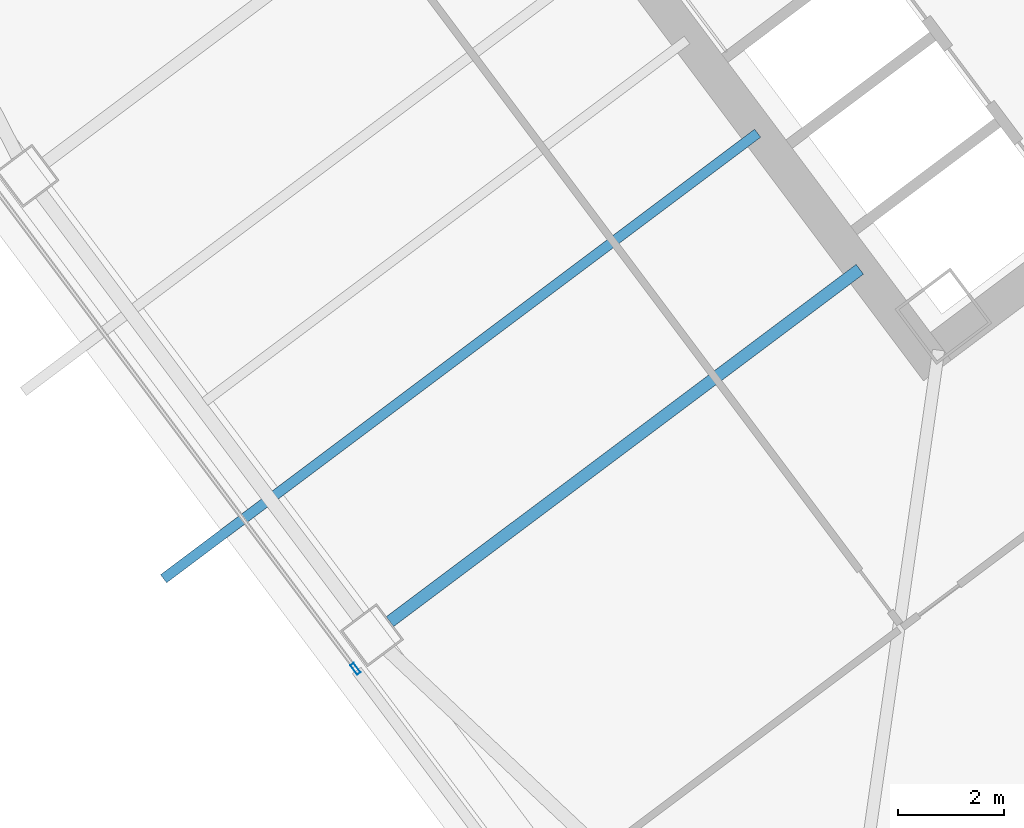
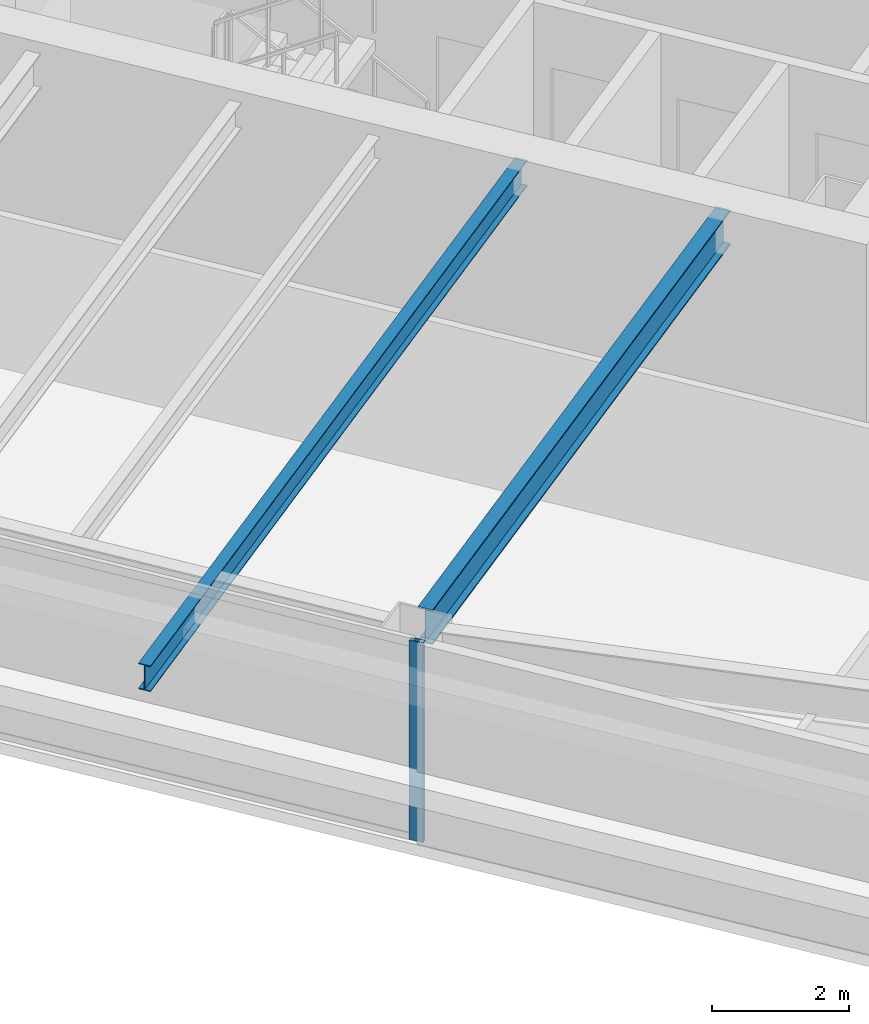
# One storey, part 20 of 47: 2 beams, 1 member, 1 element without a shape of its own.
"""IFC4 building model written with IfcOpenShell, lengths in metres."""

from ifc_helpers import new_model, si_unit, direction, frame, origin, origin_2d, place, context, subcontext, project, spatial, hollow_rectangle, i_section, extrude, material, material_profile, profile_set, type_object, element, aggregate, save


model = new_model("IFC4")

# Units and contexts
model_context = context("Model", 3, precision=1e-05, world=origin(), true_north=direction((0.0, 1.0)))
body_context = subcontext(model_context, "Body", "Model", "MODEL_VIEW")
ifc_project = project(units=[si_unit("LENGTHUNIT", "METRE"), si_unit("AREAUNIT", "SQUARE_METRE"), si_unit("VOLUMEUNIT", "CUBIC_METRE"), si_unit("PLANEANGLEUNIT", "RADIAN"), si_unit("MASSUNIT", "GRAM", prefix="KILO")], contexts=[model_context])

# Site, building, storey
site_placement = place(None, origin())
site = spatial("IfcSite", under=ifc_project, at=site_placement, CompositionType="ELEMENT")
building_placement = place(site_placement, origin())
building = spatial("IfcBuilding", under=site, at=building_placement, Name="Tashvorn Skyway Center", CompositionType="ELEMENT")
storey_placement = place(building_placement, frame((0.0, 0.0, 81.39990234375)))
storey = spatial("IfcBuildingStorey", under=building, at=storey_placement, Name="L21", CompositionType="ELEMENT", Elevation=81.39990234375)

# Beams
ifc_material_1 = material(Name="Steel ASTM A992 Grade 50", Category="steel")
ifc_material_profile_1 = material_profile(ifc_material_1, i_section(OverallWidth=0.22998046875, OverallDepth=0.616943359375, WebThickness=0.01318359375, FlangeThickness=0.022216796875, at=origin_2d()), Name="W24X94")
ifc_profile_set_1 = profile_set([ifc_material_profile_1], Name="Steel ASTM A992 Grade 50")
beam_type_1 = type_object("IfcBeamType", Name="BM-BEAM-W24X94", PredefinedType="BEAM", material=ifc_profile_set_1)
beam_1_placement = place(storey_placement, frame((102.176025390625, 16.382080078125, 3.04150390625), z_axis=(0.800007953832, 0.599989394744, 0.0), x_axis=(-0.599989394744, 0.800007953832, 0.0)))
element("IfcBeam", 1, at=beam_1_placement, inside=storey, type_object=beam_type_1, Name="Tower 2 L21 Primary Floor Girder FC-W2", PredefinedType="BEAM", context=body_context, shape_type="SweptSolid", body=[
    extrude(i_section(OverallWidth=0.22998046875, OverallDepth=0.616943359375, WebThickness=0.01318359375, FlangeThickness=0.022216796875, at=origin_2d()), origin(), (0.0, 0.0, 1.0), 11.050048828125),
])
ifc_material_profile_2 = material_profile(ifc_material_1, i_section(OverallWidth=0.19091796875, OverallDepth=0.4599609375, WebThickness=0.010009765625, FlangeThickness=0.01611328125, at=origin_2d()), Name="W18X55")
ifc_profile_set_2 = profile_set([ifc_material_profile_2], Name="Steel ASTM A992 Grade 50")
beam_type_2 = type_object("IfcBeamType", Name="BM-JOIST-W18X55", PredefinedType="JOIST", material=ifc_profile_set_2)
beam_2_placement = place(storey_placement, frame((109.095947265625, 25.572021484375, 3.1201171875), z_axis=(-0.799997902878, -0.600002796153, 0.0), x_axis=(0.600002796153, -0.799997902878, 0.0)))
element("IfcBeam", 2, at=beam_2_placement, inside=storey, type_object=beam_type_2, Name="Tower 2 L22 Terrace Cantilever Outlooker 1", PredefinedType="JOIST", context=body_context, shape_type="SweptSolid", body=[
    extrude(i_section(OverallWidth=0.19091796875, OverallDepth=0.4599609375, WebThickness=0.010009765625, FlangeThickness=0.01611328125, at=origin_2d()), origin(), (0.0, 0.0, 1.0), 13.969970703125),
])

# Curtain wall, member
ifc_material_2 = material(Name="Thermally broken bronze-anodized aluminium 6063-T6", Category="aluminium")
curtain_wall_type = type_object("IfcCurtainWallType", Name="CW-CW-Z2", PredefinedType="NOTDEFINED", material=ifc_material_2)
curtain_wall_placement = place(storey_placement, origin())
curtain_wall = element("IfcCurtainWall", 3, at=curtain_wall_placement, inside=storey, type_object=curtain_wall_type, Name="Tower 2 L21 West Unitised Curtain Wall Glazing Group 2", PredefinedType="NOTDEFINED")
ifc_material_profile_3 = material_profile(ifc_material_2, hollow_rectangle(XDim=0.080078125, YDim=0.219970703125, WallThickness=0.0048828125, at=origin_2d()), Name="ALU-MULL-80x220")
ifc_profile_set_3 = profile_set([ifc_material_profile_3], Name="Thermally broken bronze-anodized aluminium 6063-T6")
member_type = type_object("IfcMemberType", Name="CWM-CW-Z2", PredefinedType="MULLION", material=ifc_profile_set_3)
member_placement = place(storey_placement, frame((101.528076171875, 15.49609375, 0.0), z_axis=(0.0, 0.0, 1.0), x_axis=(-0.799999999998, -0.600000000002, 0.0)))
member = element("IfcMember", 4, at=member_placement, type_object=member_type, Name="CW-Z2 mullion 1", PredefinedType="MULLION", context=body_context, shape_type="SweptSolid", body=[
    extrude(hollow_rectangle(XDim=0.080078125, YDim=0.219970703125, WallThickness=0.0048828125, at=origin_2d()), origin(), (0.0, 0.0, 1.0), 3.550048828125),
])
aggregate(curtain_wall, [member])

save(model, "model.ifc")
